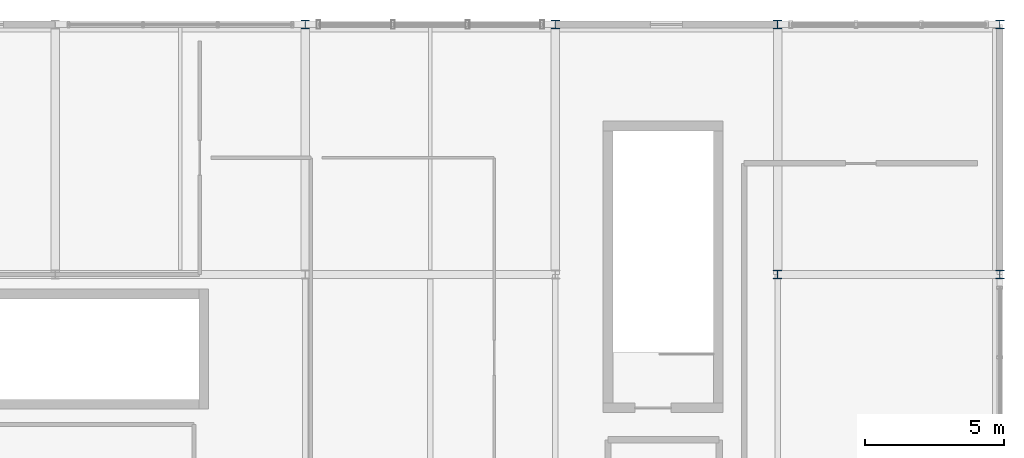
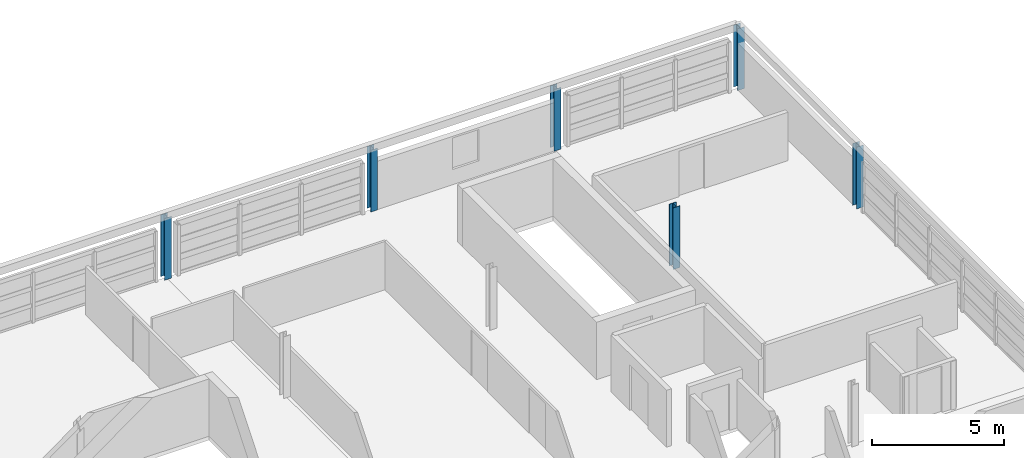
# One storey, part 4 of 27: 6 columns.
"""IFC4 building model written with IfcOpenShell, lengths in metres."""

from ifc_helpers import new_model, si_unit, direction, frame, origin, origin_2d, place, context, subcontext, project, spatial, i_section, extrude, material, material_profile, profile_set, type_object, element, save


model = new_model("IFC4")

# Units and contexts
model_context = context("Model", 3, precision=1e-05, world=origin(), true_north=direction((0.0, 1.0)))
body_context = subcontext(model_context, "Body", "Model", "MODEL_VIEW")
ifc_project = project(units=[si_unit("LENGTHUNIT", "METRE"), si_unit("AREAUNIT", "SQUARE_METRE"), si_unit("VOLUMEUNIT", "CUBIC_METRE"), si_unit("PLANEANGLEUNIT", "RADIAN"), si_unit("MASSUNIT", "GRAM", prefix="KILO")], contexts=[model_context])

# Site, building, storey
site_placement = place(None, origin())
site = spatial("IfcSite", under=ifc_project, at=site_placement, CompositionType="ELEMENT")
building_placement = place(site_placement, origin())
building = spatial("IfcBuilding", under=site, at=building_placement, Name="Chuanluo Vaults Station", CompositionType="ELEMENT")
storey_placement = place(building_placement, frame((0.0, 0.0, 20.800048828125)))
storey = spatial("IfcBuildingStorey", under=building, at=storey_placement, Name="L05", CompositionType="ELEMENT", Elevation=20.800048828125)

# Columns
ifc_material = material(Name="Steel Q355C", Category="steel")
ifc_material_profile = material_profile(ifc_material, i_section(OverallWidth=0.300048828125, OverallDepth=0.300048828125, WebThickness=0.010009765625, FlangeThickness=0.014892578125, FilletRadius=0.01806640625, at=origin_2d()))
ifc_profile_set = profile_set([ifc_material_profile], Name="Steel Q355C")
column_type = type_object("IfcColumnType", Name="COL-STL-HW300", PredefinedType="COLUMN", material=ifc_profile_set)
for number, where, z_axis, x_axis, name in (
    (1, (163.0, 126.0, 0.0), (0.0, 0.0, 1.0), (1.0, 0.0, 0.0), "Column L05-135"),
    (2, (172.0, 126.0, 0.0), (0.0, 0.0, 1.0), (1.0, 0.0, 0.0), "Column L05-148"),
    (3, (180.0, 117.0, 0.0), (0.0, 0.0, 1.0), (1.0, 0.0, 0.0), "Column L05-160"),
    (4, (180.0, 126.0, 0.0), (0.0, 0.0, 1.0), (1.0, 0.0, 0.0), "Column L05-161"),
    (5, (188.0, 117.0, 0.0), (0.0, 0.0, 1.0), (1.0, 0.0, 0.0), "Column L05-173"),
    (6, (188.0, 126.0, 0.0), (0.0, 0.0, 1.0), (1.0, 0.0, 0.0), "Column L05-174"),
):
    element("IfcColumn", number, at=place(storey_placement, frame(where, z_axis=z_axis, x_axis=x_axis)), inside=storey, type_object=column_type, Name=name, PredefinedType="COLUMN", context=body_context, shape_type="SweptSolid", body=[
        extrude(i_section(OverallWidth=0.300048828125, OverallDepth=0.300048828125, WebThickness=0.010009765625, FlangeThickness=0.014892578125, FilletRadius=0.01806640625, at=origin_2d()), origin(), (0.0, 0.0, 1.0), 2.849853515625),
    ])

save(model, "model.ifc")
